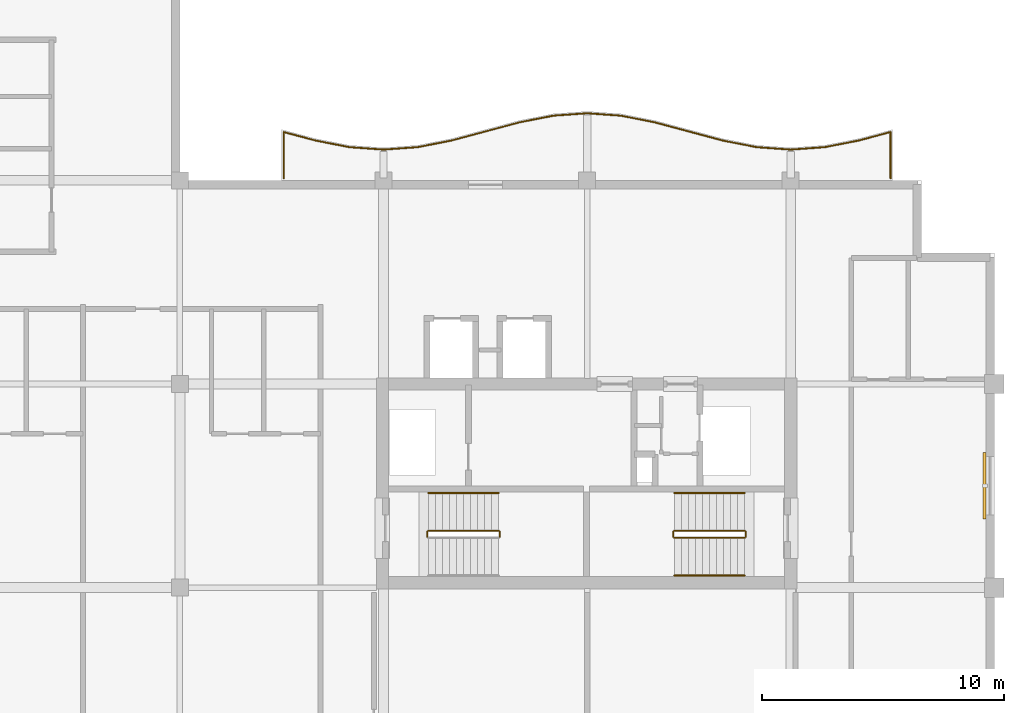
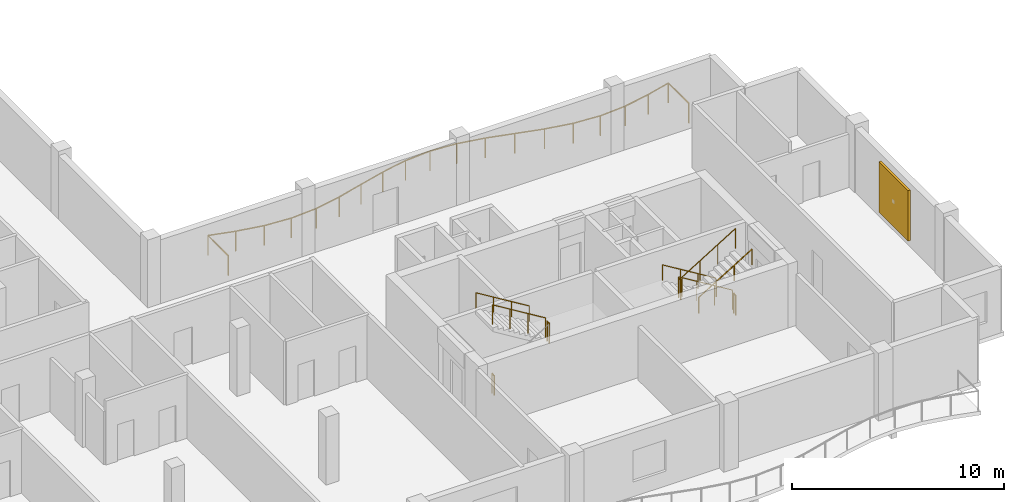
# One storey, part 14 of 15: 11 railings, 1 shading device.
"""IFC4 building model written with IfcOpenShell, lengths in metres."""

from ifc_helpers import new_model, si_unit, direction, frame, origin, origin_2d, place, context, subcontext, project, spatial, rectangle, circle, extrude, material, layer, layer_set, type_object, element, save


model = new_model("IFC4")

# Units and contexts
model_context = context("Model", 3, precision=1e-05, world=origin(), true_north=direction((0.0, 1.0)))
body_context = subcontext(model_context, "Body", "Model", "MODEL_VIEW")
ifc_project = project(units=[si_unit("LENGTHUNIT", "METRE"), si_unit("AREAUNIT", "SQUARE_METRE"), si_unit("VOLUMEUNIT", "CUBIC_METRE"), si_unit("PLANEANGLEUNIT", "RADIAN"), si_unit("MASSUNIT", "GRAM", prefix="KILO")], contexts=[model_context])

# Site, building, storey
site_placement = place(None, origin())
site = spatial("IfcSite", under=ifc_project, at=site_placement, CompositionType="ELEMENT")
building_placement = place(site_placement, origin())
building = spatial("IfcBuilding", under=site, at=building_placement, Name="Koriwani Terraces Tower", CompositionType="ELEMENT")
storey_placement = place(building_placement, frame((0.0, 0.0, 300.800048828125)))
storey = spatial("IfcBuildingStorey", under=building, at=storey_placement, Name="L74", CompositionType="ELEMENT", Elevation=300.800048828125)

# Railings
ifc_material_1 = material(Name="Steel ASTM A572 Grade 50", Category="steel")
railing_type_1 = type_object("IfcRailingType", Name="GUARD_BALUSTRADE_1150", PredefinedType="BALUSTRADE", material=ifc_material_1)
railing_1_placement = place(storey_placement, frame((62.919921875, 33.679931640625, 0.0)))
element("IfcRailing", 1, at=railing_1_placement, inside=storey, type_object=railing_type_1, Name="L74 Balcony Perimeter Safety Balustrade (NE)", PredefinedType="BALUSTRADE", context=body_context, shape_type="SweptSolid", body=[
    extrude(circle(Radius=0.02392578125, at=origin_2d()), frame((0.0, 0.0, 1.1259765625), z_axis=(0.0, 1.0, 0.0), x_axis=(-1.0, 0.0, 0.0)), (0.0, 0.0, 1.0), 1.915771484375),
    extrude(circle(Radius=0.02392578125, at=origin_2d()), frame((0.0, 1.915771484375, 1.1259765625), z_axis=(-0.965969874285, -0.258654599752, 0.0), x_axis=(0.258654599752, -0.965969874285, 0.0)), (0.0, 0.0, 1.0), 1.347900390625),
    extrude(circle(Radius=0.02392578125, at=origin_2d()), frame((-1.302001953125, 1.567138671875, 1.1259765625), z_axis=(-0.981352180954, -0.192218357442, 0.0), x_axis=(0.192218357442, -0.981352180954, 0.0)), (0.0, 0.0, 1.0), 1.43408203125),
    extrude(circle(Radius=0.02392578125, at=origin_2d()), frame((-2.709228515625, 1.29150390625, 1.1259765625), z_axis=(-0.997430581876, -0.071639614309, 0.0), x_axis=(0.071639614309, -0.997430581876, 0.0)), (0.0, 0.0, 1.0), 1.414306640625),
    extrude(circle(Radius=0.02392578125, at=origin_2d()), frame((-4.119873046875, 1.190185546875, 1.1259765625), z_axis=(-0.997430581876, 0.071639614309, 0.0), x_axis=(-0.071639614309, -0.997430581876, 0.0)), (0.0, 0.0, 1.0), 1.414306640625),
    extrude(circle(Radius=0.02392578125, at=origin_2d()), frame((-5.530517578125, 1.29150390625, 1.1259765625), z_axis=(-0.981358469957, 0.192186246762, 0.0), x_axis=(-0.192186246762, -0.981358469957, 0.0)), (0.0, 0.0, 1.0), 1.434326171875),
    extrude(circle(Radius=0.02392578125, at=origin_2d()), frame((-6.93798828125, 1.567138671875, 1.1259765625), z_axis=(-0.96594917914, 0.258731875344, 0.0), x_axis=(-0.258731875344, -0.96594917914, 0.0)), (0.0, 0.0, 1.0), 2.898681640625),
    extrude(circle(Radius=0.02392578125, at=origin_2d()), frame((-9.738037109375, 2.317138671875, 1.1259765625), z_axis=(-0.981327760125, 0.192342993657, 0.0), x_axis=(-0.192342993657, -0.981327760125, 0.0)), (0.0, 0.0, 1.0), 1.419189453125),
    extrude(circle(Radius=0.02392578125, at=origin_2d()), frame((-11.130615234375, 2.590087890625, 1.1259765625), z_axis=(-0.997427466293, 0.07168297904, 0.0), x_axis=(-0.07168297904, -0.997427466293, 0.0)), (0.0, 0.0, 1.0), 1.39306640625),
    extrude(circle(Radius=0.02392578125, at=origin_2d()), frame((-12.52001953125, 2.68994140625, 1.1259765625), z_axis=(-0.997427466293, -0.07168297904, 0.0), x_axis=(0.07168297904, -0.997427466293, 0.0)), (0.0, 0.0, 1.0), 1.39306640625),
    extrude(circle(Radius=0.02392578125, at=origin_2d()), frame((-13.909423828125, 2.590087890625, 1.1259765625), z_axis=(-0.981321393675, -0.19237547223, 0.0), x_axis=(0.19237547223, -0.981321393675, 0.0)), (0.0, 0.0, 1.0), 1.4189453125),
    extrude(circle(Radius=0.02392578125, at=origin_2d()), frame((-15.3017578125, 2.317138671875, 1.1259765625), z_axis=(-0.96594917914, -0.258731875344, 0.0), x_axis=(0.258731875344, -0.96594917914, 0.0)), (0.0, 0.0, 1.0), 2.898681640625),
    extrude(circle(Radius=0.02392578125, at=origin_2d()), frame((-18.101806640625, 1.567138671875, 1.1259765625), z_axis=(-0.981358469957, -0.192186246762, 0.0), x_axis=(0.192186246762, -0.981358469957, 0.0)), (0.0, 0.0, 1.0), 1.434326171875),
    extrude(circle(Radius=0.02392578125, at=origin_2d()), frame((-19.50927734375, 1.29150390625, 1.1259765625), z_axis=(-0.997430581876, -0.071639614309, 0.0), x_axis=(0.071639614309, -0.997430581876, 0.0)), (0.0, 0.0, 1.0), 1.414306640625),
    extrude(circle(Radius=0.02392578125, at=origin_2d()), frame((-20.919921875, 1.190185546875, 1.1259765625), z_axis=(-0.997430581876, 0.071639614309, 0.0), x_axis=(-0.071639614309, -0.997430581876, 0.0)), (0.0, 0.0, 1.0), 1.414306640625),
    extrude(circle(Radius=0.02392578125, at=origin_2d()), frame((-22.33056640625, 1.29150390625, 1.1259765625), z_axis=(-0.981358469957, 0.192186246762, 0.0), x_axis=(-0.192186246762, -0.981358469957, 0.0)), (0.0, 0.0, 1.0), 1.434326171875),
    extrude(circle(Radius=0.02392578125, at=origin_2d()), frame((-23.738037109375, 1.567138671875, 1.1259765625), z_axis=(-0.965969874285, 0.258654599752, 0.0), x_axis=(-0.258654599752, -0.965969874285, 0.0)), (0.0, 0.0, 1.0), 1.347900390625),
    extrude(circle(Radius=0.02392578125, at=origin_2d()), frame((-25.0400390625, 1.915771484375, 1.1259765625), z_axis=(0.0, -1.0, 0.0), x_axis=(1.0, 0.0, 0.0)), (0.0, 0.0, 1.0), 1.915771484375),
    extrude(circle(Radius=0.02099609375, at=origin_2d()), origin(), (0.0, 0.0, 1.0), 1.101806640625),
    extrude(circle(Radius=0.02099609375, at=origin_2d()), frame((0.0, 1.915771484375, 0.0)), (0.0, 0.0, 1.0), 1.101806640625),
    extrude(circle(Radius=0.02099609375, at=origin_2d()), frame((-1.302001953125, 1.567138671875, 0.0)), (0.0, 0.0, 1.0), 1.101806640625),
    extrude(circle(Radius=0.02099609375, at=origin_2d()), frame((-2.709228515625, 1.29150390625, 0.0)), (0.0, 0.0, 1.0), 1.101806640625),
    extrude(circle(Radius=0.02099609375, at=origin_2d()), frame((-4.119873046875, 1.190185546875, 0.0)), (0.0, 0.0, 1.0), 1.101806640625),
    extrude(circle(Radius=0.02099609375, at=origin_2d()), frame((-5.530517578125, 1.29150390625, 0.0)), (0.0, 0.0, 1.0), 1.101806640625),
    extrude(circle(Radius=0.02099609375, at=origin_2d()), frame((-6.93798828125, 1.567138671875, 0.0)), (0.0, 0.0, 1.0), 1.101806640625),
    extrude(circle(Radius=0.02099609375, at=origin_2d()), frame((-8.337890625, 1.942138671875, 0.0)), (0.0, 0.0, 1.0), 1.101806640625),
    extrude(circle(Radius=0.02099609375, at=origin_2d()), frame((-9.738037109375, 2.317138671875, 0.0)), (0.0, 0.0, 1.0), 1.101806640625),
    extrude(circle(Radius=0.02099609375, at=origin_2d()), frame((-11.130615234375, 2.590087890625, 0.0)), (0.0, 0.0, 1.0), 1.101806640625),
    extrude(circle(Radius=0.02099609375, at=origin_2d()), frame((-12.52001953125, 2.68994140625, 0.0)), (0.0, 0.0, 1.0), 1.101806640625),
    extrude(circle(Radius=0.02099609375, at=origin_2d()), frame((-13.909423828125, 2.590087890625, 0.0)), (0.0, 0.0, 1.0), 1.101806640625),
    extrude(circle(Radius=0.02099609375, at=origin_2d()), frame((-15.3017578125, 2.317138671875, 0.0)), (0.0, 0.0, 1.0), 1.101806640625),
    extrude(circle(Radius=0.02099609375, at=origin_2d()), frame((-16.70166015625, 1.942138671875, 0.0)), (0.0, 0.0, 1.0), 1.101806640625),
    extrude(circle(Radius=0.02099609375, at=origin_2d()), frame((-18.101806640625, 1.567138671875, 0.0)), (0.0, 0.0, 1.0), 1.101806640625),
    extrude(circle(Radius=0.02099609375, at=origin_2d()), frame((-19.50927734375, 1.29150390625, 0.0)), (0.0, 0.0, 1.0), 1.101806640625),
    extrude(circle(Radius=0.02099609375, at=origin_2d()), frame((-20.919921875, 1.190185546875, 0.0)), (0.0, 0.0, 1.0), 1.101806640625),
    extrude(circle(Radius=0.02099609375, at=origin_2d()), frame((-22.33056640625, 1.29150390625, 0.0)), (0.0, 0.0, 1.0), 1.101806640625),
    extrude(circle(Radius=0.02099609375, at=origin_2d()), frame((-23.738037109375, 1.567138671875, 0.0)), (0.0, 0.0, 1.0), 1.101806640625),
    extrude(circle(Radius=0.02099609375, at=origin_2d()), frame((-25.0400390625, 1.915771484375, 0.0)), (0.0, 0.0, 1.0), 1.101806640625),
    extrude(circle(Radius=0.02099609375, at=origin_2d()), frame((-25.0400390625, 0.0, 0.0)), (0.0, 0.0, 1.0), 1.101806640625),
])
railing_type_2 = type_object("IfcRailingType", Name="GUARD_STAIR_WELL_1120", PredefinedType="GUARDRAIL", material=ifc_material_1)
railing_2_placement = place(storey_placement, frame((46.800048828125, 18.89990234375, 1.949951171875)))
element("IfcRailing", 2, at=railing_2_placement, inside=storey, type_object=railing_type_2, Name="L74 ST-E1 stair guard 2", PredefinedType="GUARDRAIL", context=body_context, shape_type="SweptSolid", body=[
    extrude(circle(Radius=0.02392578125, at=origin_2d()), frame((0.0, 0.0, 1.1259765625), z_axis=(0.0, 1.0, 0.0), x_axis=(-1.0, 0.0, 0.0)), (0.0, 0.0, 1.0), 0.2001953125),
    extrude(circle(Radius=0.02099609375, at=origin_2d()), origin(), (0.0, 0.0, 1.0), 1.101806640625),
    extrude(circle(Radius=0.02099609375, at=origin_2d()), frame((0.0, 0.2001953125, 0.0)), (0.0, 0.0, 1.0), 1.101806640625),
])
railing_3_placement = place(storey_placement, frame((46.75, 19.14990234375, 2.127197265625)))
element("IfcRailing", 3, at=railing_3_placement, inside=storey, type_object=railing_type_2, Name="L74 ST-E1 stair guard 3", PredefinedType="GUARDRAIL", context=body_context, shape_type="SweptSolid", body=[
    extrude(circle(Radius=0.02392578125, at=origin_2d()), frame((0.0, 0.0, 1.1259765625), z_axis=(-0.853210801645, 0.0, 0.521566225858), x_axis=(0.0, -1.0, 0.0)), (0.0, 0.0, 1.0), 3.39892578125),
    extrude(circle(Radius=0.02099609375, at=origin_2d()), origin(), (0.0, 0.0, 1.0), 1.101806640625),
    extrude(circle(Radius=0.02099609375, at=origin_2d()), frame((-0.966552734375, 0.0, 0.5908203125)), (0.0, 0.0, 1.0), 1.101806640625),
    extrude(circle(Radius=0.02099609375, at=origin_2d()), frame((-1.933349609375, 0.0, 1.181884765625)), (0.0, 0.0, 1.0), 1.101806640625),
    extrude(circle(Radius=0.02099609375, at=origin_2d()), frame((-2.89990234375, 0.0, 1.772705078125)), (0.0, 0.0, 1.0), 1.101806640625),
])
railing_4_placement = place(storey_placement, frame((43.800048828125, 18.89990234375, 0.0)))
element("IfcRailing", 4, at=railing_4_placement, inside=storey, type_object=railing_type_2, Name="L74 ST-E1 stair guard 4", PredefinedType="GUARDRAIL", context=body_context, shape_type="SweptSolid", body=[
    extrude(circle(Radius=0.02392578125, at=origin_2d()), frame((0.0, 0.0, 1.1259765625), z_axis=(0.0, 1.0, 0.0), x_axis=(-1.0, 0.0, 0.0)), (0.0, 0.0, 1.0), 0.2001953125),
    extrude(circle(Radius=0.02099609375, at=origin_2d()), origin(), (0.0, 0.0, 1.0), 1.101806640625),
    extrude(circle(Radius=0.02099609375, at=origin_2d()), frame((0.0, 0.2001953125, 0.0)), (0.0, 0.0, 1.0), 1.101806640625),
])
railing_5_placement = place(storey_placement, frame((56.89990234375, 19.14990234375, 0.17724609375)))
element("IfcRailing", 5, at=railing_5_placement, inside=storey, type_object=railing_type_2, Name="L74 ST-E2 stair guard 1", PredefinedType="GUARDRAIL", context=body_context, shape_type="SweptSolid", body=[
    extrude(circle(Radius=0.02392578125, at=origin_2d()), frame((0.0, 0.0, 1.1259765625), z_axis=(-0.853210801645, 0.0, 0.521566225858), x_axis=(0.0, -1.0, 0.0)), (0.0, 0.0, 1.0), 3.39892578125),
    extrude(circle(Radius=0.02099609375, at=origin_2d()), origin(), (0.0, 0.0, 1.0), 1.101806640625),
    extrude(circle(Radius=0.02099609375, at=origin_2d()), frame((-0.966552734375, 0.0, 0.5908203125)), (0.0, 0.0, 1.0), 1.101806640625),
    extrude(circle(Radius=0.02099609375, at=origin_2d()), frame((-1.933349609375, 0.0, 1.181884765625)), (0.0, 0.0, 1.0), 1.101806640625),
    extrude(circle(Radius=0.02099609375, at=origin_2d()), frame((-2.89990234375, 0.0, 1.772705078125)), (0.0, 0.0, 1.0), 1.101806640625),
])
railing_6_placement = place(storey_placement, frame((53.949951171875, 19.10009765625, 1.949951171875)))
element("IfcRailing", 6, at=railing_6_placement, inside=storey, type_object=railing_type_2, Name="L74 ST-E2 stair guard 2", PredefinedType="GUARDRAIL", context=body_context, shape_type="SweptSolid", body=[
    extrude(circle(Radius=0.02392578125, at=origin_2d()), frame((0.0, 0.0, 1.1259765625), z_axis=(0.0, -1.0, 0.0), x_axis=(1.0, 0.0, 0.0)), (0.0, 0.0, 1.0), 0.2001953125),
    extrude(circle(Radius=0.02099609375, at=origin_2d()), origin(), (0.0, 0.0, 1.0), 1.101806640625),
    extrude(circle(Radius=0.02099609375, at=origin_2d()), frame((0.0, -0.2001953125, 0.0)), (0.0, 0.0, 1.0), 1.101806640625),
])
railing_7_placement = place(storey_placement, frame((54.0, 18.85009765625, 2.127197265625)))
element("IfcRailing", 7, at=railing_7_placement, inside=storey, type_object=railing_type_2, Name="L74 ST-E2 stair guard 3", PredefinedType="GUARDRAIL", context=body_context, shape_type="SweptSolid", body=[
    extrude(circle(Radius=0.02392578125, at=origin_2d()), frame((0.0, 0.0, 1.1259765625), z_axis=(0.853210801645, 0.0, 0.521566225858), x_axis=(0.0, 1.0, 0.0)), (0.0, 0.0, 1.0), 3.39892578125),
    extrude(circle(Radius=0.02099609375, at=origin_2d()), origin(), (0.0, 0.0, 1.0), 1.101806640625),
    extrude(circle(Radius=0.02099609375, at=origin_2d()), frame((0.966552734375, 0.0, 0.5908203125)), (0.0, 0.0, 1.0), 1.101806640625),
    extrude(circle(Radius=0.02099609375, at=origin_2d()), frame((1.933349609375, 0.0, 1.181884765625)), (0.0, 0.0, 1.0), 1.101806640625),
    extrude(circle(Radius=0.02099609375, at=origin_2d()), frame((2.89990234375, 0.0, 1.772705078125)), (0.0, 0.0, 1.0), 1.101806640625),
])
railing_8_placement = place(storey_placement, frame((56.949951171875, 19.10009765625, 0.0)))
element("IfcRailing", 8, at=railing_8_placement, inside=storey, type_object=railing_type_2, Name="L74 ST-E2 stair guard 4", PredefinedType="GUARDRAIL", context=body_context, shape_type="SweptSolid", body=[
    extrude(circle(Radius=0.02392578125, at=origin_2d()), frame((0.0, 0.0, 1.1259765625), z_axis=(0.0, -1.0, 0.0), x_axis=(1.0, 0.0, 0.0)), (0.0, 0.0, 1.0), 0.2001953125),
    extrude(circle(Radius=0.02099609375, at=origin_2d()), origin(), (0.0, 0.0, 1.0), 1.101806640625),
    extrude(circle(Radius=0.02099609375, at=origin_2d()), frame((0.0, -0.2001953125, 0.0)), (0.0, 0.0, 1.0), 1.101806640625),
])
railing_type_3 = type_object("IfcRailingType", Name="HANDRAIL_STAIR_920", PredefinedType="HANDRAIL", material=ifc_material_1)
for number, where, name in (
    (9, (46.75, 20.699951171875, 2.127197265625), "L74 ST-E1 stair handrail 2"),
    (10, (56.89990234375, 20.699951171875, 0.17724609375), "L74 ST-E2 stair handrail 1"),
):
    element("IfcRailing", number, at=place(storey_placement, frame(where)), inside=storey, type_object=railing_type_3, Name=name, PredefinedType="HANDRAIL", context=body_context, shape_type="SweptSolid", body=[
        extrude(circle(Radius=0.02392578125, at=origin_2d()), frame((0.0, 0.0, 0.8759765625), z_axis=(-0.853210801645, 0.0, 0.521566225858), x_axis=(0.0, -1.0, 0.0)), (0.0, 0.0, 1.0), 3.39892578125),
        extrude(circle(Radius=0.02099609375, at=origin_2d()), origin(), (0.0, 0.0, 1.0), 0.851806640625),
        extrude(circle(Radius=0.02099609375, at=origin_2d()), frame((-0.966552734375, 0.0, 0.5908203125)), (0.0, 0.0, 1.0), 0.851806640625),
        extrude(circle(Radius=0.02099609375, at=origin_2d()), frame((-1.933349609375, 0.0, 1.181884765625)), (0.0, 0.0, 1.0), 0.851806640625),
        extrude(circle(Radius=0.02099609375, at=origin_2d()), frame((-2.89990234375, 0.0, 1.772705078125)), (0.0, 0.0, 1.0), 0.851806640625),
    ])
railing_9_placement = place(storey_placement, frame((54.0, 17.300048828125, 2.127197265625)))
element("IfcRailing", 11, at=railing_9_placement, inside=storey, type_object=railing_type_3, Name="L74 ST-E2 stair handrail 2", PredefinedType="HANDRAIL", context=body_context, shape_type="SweptSolid", body=[
    extrude(circle(Radius=0.02392578125, at=origin_2d()), frame((0.0, 0.0, 0.8759765625), z_axis=(0.853210801645, 0.0, 0.521566225858), x_axis=(0.0, 1.0, 0.0)), (0.0, 0.0, 1.0), 3.39892578125),
    extrude(circle(Radius=0.02099609375, at=origin_2d()), origin(), (0.0, 0.0, 1.0), 0.851806640625),
    extrude(circle(Radius=0.02099609375, at=origin_2d()), frame((0.966552734375, 0.0, 0.5908203125)), (0.0, 0.0, 1.0), 0.851806640625),
    extrude(circle(Radius=0.02099609375, at=origin_2d()), frame((1.933349609375, 0.0, 1.181884765625)), (0.0, 0.0, 1.0), 0.851806640625),
    extrude(circle(Radius=0.02099609375, at=origin_2d()), frame((2.89990234375, 0.0, 1.772705078125)), (0.0, 0.0, 1.0), 0.851806640625),
])

# Shading device
ifc_material_2 = material(Name="Extruded Terracotta Clay", Category="masonry")
ifc_layer = layer(ifc_material_2, 0.1201171875, Name="Extruded Terracotta Clay")
ifc_layer_set = layer_set([ifc_layer], Name="Extruded Terracotta Clay")
shading_device_type = type_object("IfcShadingDeviceType", Name="TERRACOTTA_BAGUETTE_SCREEN_2800", PredefinedType="USERDEFINED", material=ifc_layer_set)
shading_device_placement = place(storey_placement, frame((66.794921875, 21.0, 0.385009765625), z_axis=(0.0, 0.0, 1.0), x_axis=(0.0, -1.0, 0.0)))
element("IfcShadingDevice", 12, at=shading_device_placement, inside=storey, type_object=shading_device_type, Name="L74 Extruded Terracotta Baguette Screen (E_TIP-3)", ObjectType="BAGUETTE", PredefinedType="USERDEFINED", context=body_context, shape_type="SweptSolid", body=[
    extrude(rectangle(XDim=2.760009765625, YDim=0.1201171875, at=origin_2d()), origin(), (0.0, 0.0, 1.0), 2.89990234375),
])

save(model, "model.ifc")
